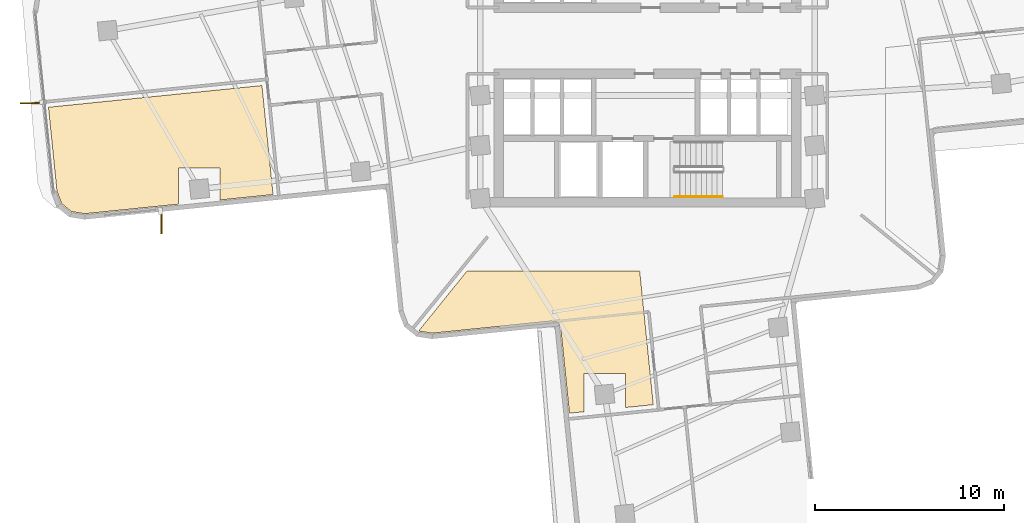
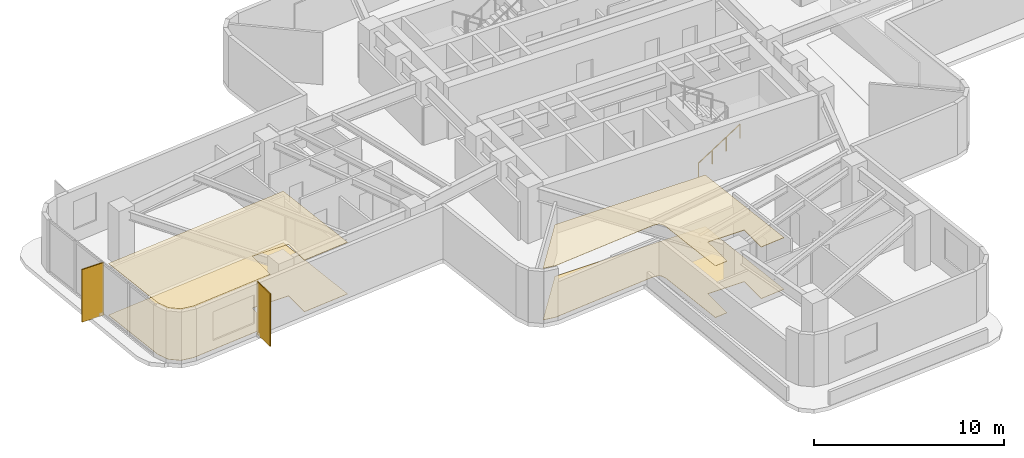
# One storey, part 11 of 14: 4 coverings, 2 shading devices, 1 railing.
"""IFC4 building model written with IfcOpenShell, lengths in metres."""

from ifc_helpers import new_model, si_unit, direction, frame, origin, origin_2d, place, context, subcontext, project, spatial, polyline, rectangle, circle, outline, extrude, material, layer, layer_set, type_object, element, save


model = new_model("IFC4")

# Units and contexts
model_context = context("Model", 3, precision=1e-05, world=origin(), true_north=direction((0.0, 1.0)))
body_context = subcontext(model_context, "Body", "Model", "MODEL_VIEW")
ifc_project = project(units=[si_unit("LENGTHUNIT", "METRE"), si_unit("AREAUNIT", "SQUARE_METRE"), si_unit("VOLUMEUNIT", "CUBIC_METRE"), si_unit("PLANEANGLEUNIT", "RADIAN"), si_unit("MASSUNIT", "GRAM", prefix="KILO")], contexts=[model_context])

# Site, building, storey
site_placement = place(None, origin())
site = spatial("IfcSite", under=ifc_project, at=site_placement, CompositionType="ELEMENT")
building_placement = place(site_placement, origin())
building = spatial("IfcBuilding", under=site, at=building_placement, Name="Solmarez Civic Tower", CompositionType="ELEMENT")
storey_placement = place(building_placement, frame((0.0, 0.0, 67.679931640625)))
storey = spatial("IfcBuildingStorey", under=building, at=storey_placement, Name="L17", CompositionType="ELEMENT", Elevation=67.679931640625)

# Coverings
ifc_material_1 = material(Name="Perforated Mineral-Fibre Acoustic Ceiling")
ifc_layer_1 = layer(ifc_material_1, 0.02490234375)
ifc_layer_set_1 = layer_set([ifc_layer_1], Name="Perforated Mineral-Fibre Acoustic Ceiling")
covering_type_1 = type_object("IfcCoveringType", Name="COV-CEIL-ACOUSTIC", PredefinedType="CEILING", material=ifc_layer_set_1)
covering_1_placement = place(storey_placement, frame((0.0, 0.0, 3.315185546875)))
element("IfcCovering", 1, at=covering_1_placement, inside=storey, type_object=covering_type_1, Name="L17 Suspended Acoustic Ceiling 4", PredefinedType="CEILING", context=body_context, shape_type="SweptSolid", body=[
    extrude(outline(polyline([(-0.408935546875, -12.199951171875), (-9.556884765625, -12.199951171875), (-12.10888671875, -15.364013671875), (-12.10302734375, -15.367919921875), (-11.404052734375, -15.48193359375), (-5.136962890625, -14.844970703125), (-5.114990234375, -14.843994140625), (-5.10107421875, -14.843994140625), (-5.070068359375, -14.845947265625), (-5.05908203125, -14.847900390625), (-4.888916015625, -14.875), (-4.87109375, -14.87890625), (-4.863037109375, -14.881103515625), (-4.85595703125, -14.882080078125), (-4.84912109375, -14.884033203125), (-4.822021484375, -14.89404296875), (-4.81494140625, -14.89697265625), (-4.80810546875, -14.89990234375), (-4.7890625, -14.908935546875), (-4.77099609375, -14.919921875), (-4.75390625, -14.93310546875), (-4.748046875, -14.93798828125), (-4.741943359375, -14.943115234375), (-4.72705078125, -14.9560546875), (-4.721923828125, -14.9609375), (-4.708984375, -14.97607421875), (-4.7041015625, -14.98193359375), (-4.68994140625, -15.0009765625), (-4.68603515625, -15.007080078125), (-4.677978515625, -15.02001953125), (-4.674072265625, -15.027099609375), (-4.6630859375, -15.049072265625), (-4.659912109375, -15.055908203125), (-4.656005859375, -15.06494140625), (-4.594970703125, -15.22509765625), (-4.589111328125, -15.242919921875), (-4.5869140625, -15.25), (-4.5849609375, -15.257080078125), (-4.5791015625, -15.285888671875), (-4.577880859375, -15.29296875), (-4.576904296875, -15.302001953125), (-4.1279296875, -19.718017578125), (-3.37109375, -19.64111328125), (-3.37109375, -17.6240234375), (-1.1708984375, -17.6240234375), (-1.1708984375, -19.41796875), (0.30908203125, -19.26708984375), (-0.408935546875, -12.199951171875)])), origin(), (0.0, 0.0, 1.0), 0.02490234375),
])
covering_2_placement = place(storey_placement, frame((0.0, 0.0, 3.315185546875)))
element("IfcCovering", 2, at=covering_2_placement, inside=storey, type_object=covering_type_1, Name="L17 Suspended Acoustic Ceiling 5", PredefinedType="CEILING", context=body_context, shape_type="SweptSolid", body=[
    extrude(outline(polyline([(-31.7060546875, -3.52294921875), (-31.256103515625, -7.9599609375), (-31.00390625, -8.6220703125), (-30.487060546875, -9.0439453125), (-29.787109375, -9.156982421875), (-24.81494140625, -8.652099609375), (-24.81494140625, -6.7509765625), (-22.614990234375, -6.7509765625), (-22.614990234375, -8.428955078125), (-19.818115234375, -8.14404296875), (-20.405029296875, -2.3740234375), (-31.7060546875, -3.52294921875)])), origin(), (0.0, 0.0, 1.0), 0.02490234375),
])
ifc_material_2 = material(Name="Polished Tropical Stone Terrazzo Flooring", Category="masonry")
ifc_layer_2 = layer(ifc_material_2, 0.02001953125)
ifc_layer_set_2 = layer_set([ifc_layer_2], Name="Polished Tropical Stone Terrazzo Flooring")
covering_type_2 = type_object("IfcCoveringType", Name="COV-FLOOR-TERRAZZO", PredefinedType="FLOORING", material=ifc_layer_set_2)
covering_3_placement = place(storey_placement, origin())
element("IfcCovering", 3, at=covering_3_placement, inside=storey, type_object=covering_type_2, Name="L17 Terrazzo Floor Finish 4", PredefinedType="FLOORING", context=body_context, shape_type="SweptSolid", body=[
    extrude(outline(polyline([(-0.408935546875, -12.199951171875), (-9.556884765625, -12.199951171875), (-12.10888671875, -15.364013671875), (-12.10302734375, -15.367919921875), (-11.404052734375, -15.48193359375), (-5.136962890625, -14.844970703125), (-5.114990234375, -14.843994140625), (-5.10107421875, -14.843994140625), (-5.070068359375, -14.845947265625), (-5.05908203125, -14.847900390625), (-4.888916015625, -14.875), (-4.87109375, -14.87890625), (-4.863037109375, -14.881103515625), (-4.85595703125, -14.882080078125), (-4.84912109375, -14.884033203125), (-4.822021484375, -14.89404296875), (-4.81494140625, -14.89697265625), (-4.80810546875, -14.89990234375), (-4.7890625, -14.908935546875), (-4.77099609375, -14.919921875), (-4.75390625, -14.93310546875), (-4.748046875, -14.93798828125), (-4.741943359375, -14.943115234375), (-4.72705078125, -14.9560546875), (-4.721923828125, -14.9609375), (-4.708984375, -14.97607421875), (-4.7041015625, -14.98193359375), (-4.68994140625, -15.0009765625), (-4.68603515625, -15.007080078125), (-4.677978515625, -15.02001953125), (-4.674072265625, -15.027099609375), (-4.6630859375, -15.049072265625), (-4.659912109375, -15.055908203125), (-4.656005859375, -15.06494140625), (-4.594970703125, -15.22509765625), (-4.589111328125, -15.242919921875), (-4.5869140625, -15.25), (-4.5849609375, -15.257080078125), (-4.5791015625, -15.285888671875), (-4.577880859375, -15.29296875), (-4.576904296875, -15.302001953125), (-4.1279296875, -19.718017578125), (-3.37109375, -19.64111328125), (-3.37109375, -17.6240234375), (-1.1708984375, -17.6240234375), (-1.1708984375, -19.41796875), (0.30908203125, -19.26708984375), (-0.408935546875, -12.199951171875)])), origin(), (0.0, 0.0, 1.0), 0.02001953125),
])
covering_4_placement = place(storey_placement, origin())
element("IfcCovering", 4, at=covering_4_placement, inside=storey, type_object=covering_type_2, Name="L17 Terrazzo Floor Finish 5", PredefinedType="FLOORING", context=body_context, shape_type="SweptSolid", body=[
    extrude(outline(polyline([(-31.7060546875, -3.52294921875), (-31.256103515625, -7.9599609375), (-31.00390625, -8.6220703125), (-30.487060546875, -9.0439453125), (-29.787109375, -9.156982421875), (-24.81494140625, -8.652099609375), (-24.81494140625, -6.7509765625), (-22.614990234375, -6.7509765625), (-22.614990234375, -8.428955078125), (-19.818115234375, -8.14404296875), (-20.405029296875, -2.3740234375), (-31.7060546875, -3.52294921875)])), origin(), (0.0, 0.0, 1.0), 0.02001953125),
])

# Shading devices
ifc_material_3 = material(Name="Bronze Anodised Aluminium EN AW-6063 T6", Category="aluminium")
ifc_layer_3 = layer(ifc_material_3, 0.06494140625)
ifc_layer_set_3 = layer_set([ifc_layer_3], Name="Bronze Anodised Aluminium EN AW-6063 T6")
shading_device_type = type_object("IfcShadingDeviceType", Name="FIN-BRONZE-Z12", PredefinedType="USERDEFINED", material=ifc_layer_set_3)
for number, where, z_axis, x_axis, name in (
    (5, (-25.72509765625, -9.553955078125, -0.039794921875), (0.0, 0.0, 1.0), (0.003892074406, -0.99999242585, 0.0), "L17 Anodised Bronze Solar Fin FIN-L17-01"),
    (6, (-32.537109375, -3.304931640625, -0.039794921875), (0.0, 0.0, 1.0), (-0.9999925611, -0.003857168083, 0.0), "L17 Anodised Bronze Solar Fin FIN-L17-02"),
):
    element("IfcShadingDevice", number, at=place(storey_placement, frame(where, z_axis=z_axis, x_axis=x_axis)), inside=storey, type_object=shading_device_type, Name=name, ObjectType="FIN", PredefinedType="USERDEFINED", context=body_context, shape_type="SweptSolid", body=[
        extrude(rectangle(XDim=1.35009765625, YDim=0.06494140625, at=origin_2d()), origin(), (0.0, 0.0, 1.0), 3.3798828125),
    ])

# Railing
ifc_material_4 = material(Name="Brushed Stainless Steel Tube Handrail", Category="steel")
railing_type = type_object("IfcRailingType", Name="HANDRAIL-STAIR-900", PredefinedType="HANDRAIL", material=ifc_material_4)
railing_placement = place(storey_placement, frame((1.449951171875, -8.27001953125, 0.18017578125)))
element("IfcRailing", 7, at=railing_placement, inside=storey, type_object=railing_type, Name="L17 ST-2 stair handrail 1", PredefinedType="HANDRAIL", context=body_context, shape_type="SweptSolid", body=[
    extrude(circle(Radius=0.02392578125, at=origin_2d()), frame((0.0, 0.0, 0.8759765625), z_axis=(0.841199657755, 0.0, 0.540724639528), x_axis=(0.0, 1.0, 0.0)), (0.0, 0.0, 1.0), 2.995849609375),
    extrude(circle(Radius=0.02099609375, at=origin_2d()), origin(), (0.0, 0.0, 1.0), 0.851806640625),
    extrude(circle(Radius=0.02099609375, at=origin_2d()), frame((0.840087890625, 0.0, 0.5400390625)), (0.0, 0.0, 1.0), 0.851806640625),
    extrude(circle(Radius=0.02099609375, at=origin_2d()), frame((1.679931640625, 0.0, 1.079833984375)), (0.0, 0.0, 1.0), 0.851806640625),
    extrude(circle(Radius=0.02099609375, at=origin_2d()), frame((2.52001953125, 0.0, 1.619873046875)), (0.0, 0.0, 1.0), 0.851806640625),
])

save(model, "model.ifc")
